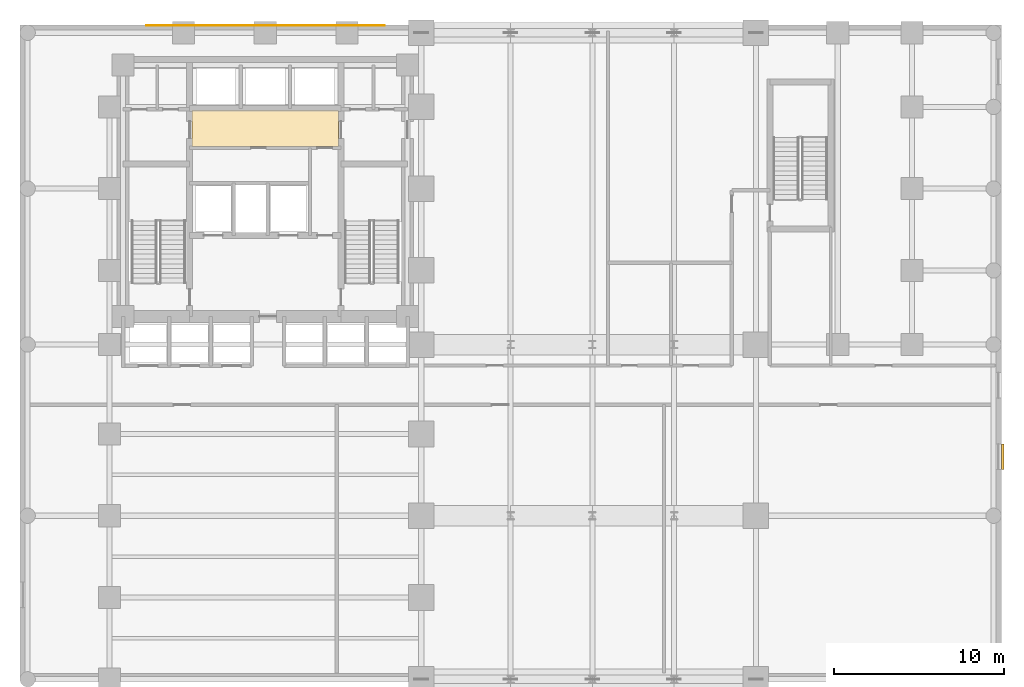
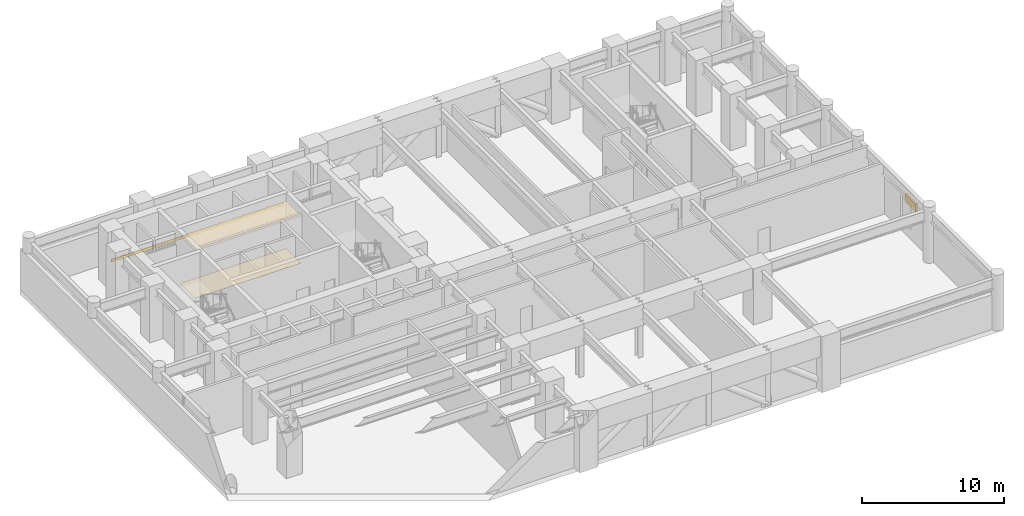
# One storey, part 7 of 8: 3 coverings, 1 shading device.
"""IFC4 building model written with IfcOpenShell, lengths in metres."""

from ifc_helpers import new_model, si_unit, direction, frame, origin, origin_2d, place, context, subcontext, project, spatial, polyline, rectangle, outline, extrude, material, layer, layer_set, type_object, element, save


model = new_model("IFC4")

# Units and contexts
model_context = context("Model", 3, precision=1e-05, world=origin(), true_north=direction((0.0, 1.0)))
body_context = subcontext(model_context, "Body", "Model", "MODEL_VIEW")
ifc_project = project(units=[si_unit("LENGTHUNIT", "METRE"), si_unit("AREAUNIT", "SQUARE_METRE"), si_unit("VOLUMEUNIT", "CUBIC_METRE"), si_unit("PLANEANGLEUNIT", "RADIAN"), si_unit("MASSUNIT", "GRAM", prefix="KILO")], contexts=[model_context])

# Site, building, storey
site_placement = place(None, origin())
site = spatial("IfcSite", under=ifc_project, at=site_placement, CompositionType="ELEMENT")
building_placement = place(site_placement, origin())
building = spatial("IfcBuilding", under=site, at=building_placement, Name="Orvandelia Arch Residences", CompositionType="ELEMENT")
storey_placement = place(building_placement, frame((0.0, 0.0, 14.800048828125)))
storey = spatial("IfcBuildingStorey", under=building, at=storey_placement, Name="L03", CompositionType="ELEMENT", Elevation=14.800048828125)

# Coverings
ifc_material_1 = material(Name="Perforated Acoustic Mineral-Fibre Ceiling")
ifc_layer_1 = layer(ifc_material_1, 0.02490234375, Name="Perforated Acoustic Mineral-Fibre Ceiling")
ifc_layer_set_1 = layer_set([ifc_layer_1], Name="Perforated Acoustic Mineral-Fibre Ceiling")
covering_type_1 = type_object("IfcCoveringType", Name="COV-CEIL-ACOUSTIC", PredefinedType="CEILING", material=ifc_layer_set_1)
covering_1_placement = place(storey_placement, frame((0.0, 0.0, 4.050048828125)))
element("IfcCovering", 1, at=covering_1_placement, inside=storey, type_object=covering_type_1, Name="Lift Hall Suspended Acoustic Ceiling L03", PredefinedType="CEILING", context=body_context, shape_type="SweptSolid", body=[
    extrude(outline(polyline([(10.10009765625, 40.8798828125), (18.699951171875, 40.8798828125), (18.699951171875, 42.97998046875), (10.10009765625, 42.97998046875), (10.10009765625, 40.8798828125)])), origin(), (0.0, 0.0, 1.0), 0.02490234375),
])
ifc_material_2 = material(Name="Honed Busan Granite Tile", Category="masonry")
ifc_layer_2 = layer(ifc_material_2, 0.02490234375, Name="Honed Busan Granite Tile", Category="masonry")
ifc_layer_set_2 = layer_set([ifc_layer_2], Name="Honed Busan Granite Tile")
covering_type_2 = type_object("IfcCoveringType", Name="COV-FLOOR-STONE", PredefinedType="SKIRTINGBOARD", material=ifc_layer_set_2)
covering_2_placement = place(storey_placement, origin())
element("IfcCovering", 2, at=covering_2_placement, inside=storey, type_object=covering_type_2, Name="Lift Hall Finish Flooring L03", PredefinedType="SKIRTINGBOARD", context=body_context, shape_type="SweptSolid", body=[
    extrude(outline(polyline([(10.10009765625, 40.8798828125), (18.699951171875, 40.8798828125), (18.699951171875, 42.97998046875), (10.10009765625, 42.97998046875), (10.10009765625, 40.8798828125)])), origin(), (0.0, 0.0, 1.0), 0.02001953125),
])
ifc_material_3 = material(Name="Coral-Limestone Architectural Cladding", Category="masonry")
ifc_layer_3 = layer(ifc_material_3, 0.044921875, Name="Coral-Limestone Architectural Cladding", Category="masonry")
ifc_layer_set_3 = layer_set([ifc_layer_3], Name="Coral-Limestone Architectural Cladding")
covering_type_3 = type_object("IfcCoveringType", Name="COV-STONE-CLAD", PredefinedType="CLADDING", material=ifc_layer_set_3)
covering_3_placement = place(storey_placement, frame((14.39990234375, 47.97509765625, -0.240234375), z_axis=(0.0, 0.0, 1.0), x_axis=(1.0, 0.0, 0.0)))
element("IfcCovering", 3, at=covering_3_placement, inside=storey, type_object=covering_type_3, Name="Coral-Limestone Slab-Edge Cladding Band L03", PredefinedType="CLADDING", context=body_context, shape_type="SweptSolid", body=[
    extrude(rectangle(XDim=14.0, YDim=0.044921875, at=origin_2d()), origin(), (0.0, 0.0, 1.0), 0.239990234375),
])

# Shading device
ifc_material_4 = material(Name="Anodised Champagne-Bronze Extruded Aluminium", Category="aluminium")
shading_device_type = type_object("IfcShadingDeviceType", Name="SHD-JALOUSIE-SCREEN", PredefinedType="JALOUSIE", material=ifc_material_4)
shading_device_placement = place(storey_placement, frame((57.679931640625, 22.6650390625, 2.25), z_axis=(0.0, 0.0, 1.0), x_axis=(0.0, -1.0, 0.0)))
element("IfcShadingDevice", 4, at=shading_device_placement, inside=storey, type_object=shading_device_type, Name="Bronze Jalousie Sun-Shade L03-001", PredefinedType="JALOUSIE", context=body_context, shape_type="SweptSolid", body=[
    extrude(rectangle(XDim=1.5, YDim=0.159912109375, at=origin_2d()), origin(), (0.0, 0.0, 1.0), 0.699951171875),
])

save(model, "model.ifc")
